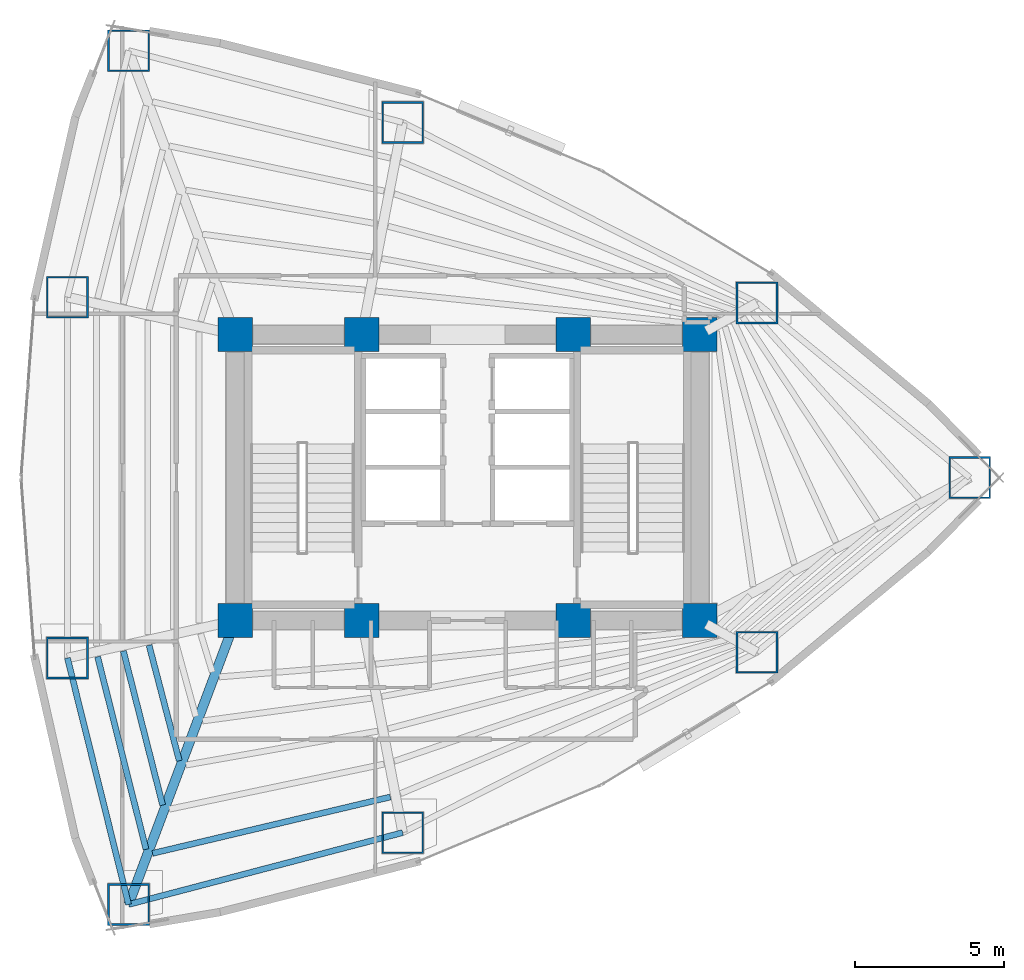
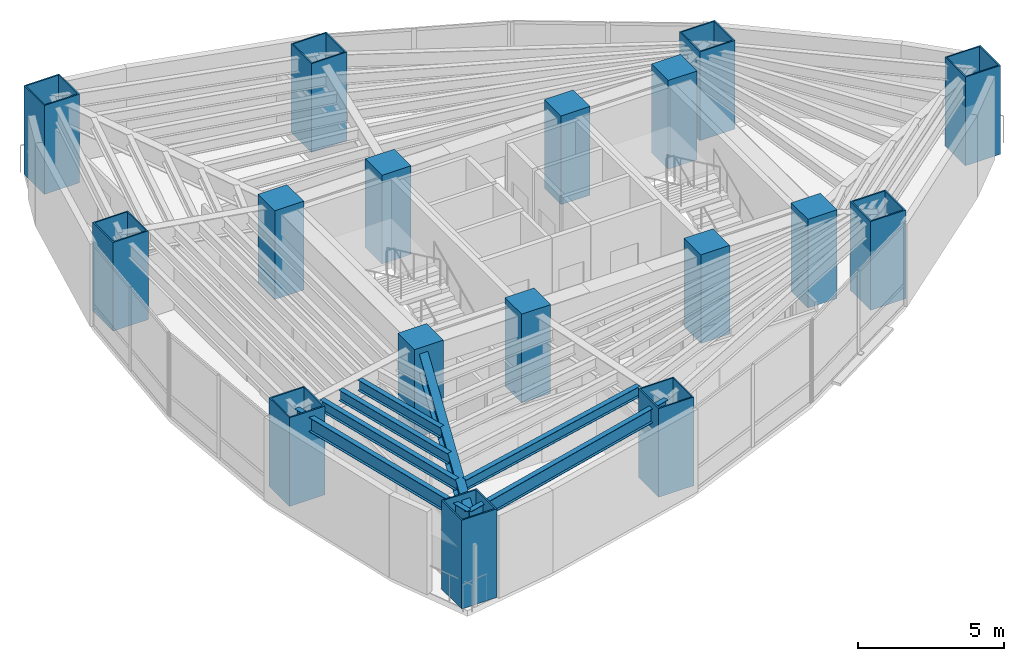
# One storey, part 1 of 17: 17 columns, 7 beams.
"""IFC4 building model written with IfcOpenShell, lengths in metres."""

import ifcopenshell
import ifcopenshell.guid

model = None  # the IFC model being written
_history = None  # IfcOwnerHistory: only IFC2X3 demands one
_inside = {}  # id of a spatial element -> (the spatial element, [elements in it])
_under = {}  # id of a project, library or spatial element -> (it, [spatial elements below it])
_declared = {}  # id of a project -> (the project, [libraries it declares])
_typed = {}  # id of a type object -> (the type object, [elements of that type])
_made_of = {}  # id of a material, layer set ... -> (it, [elements and type objects made of it])


def new_model(schema):
    """Start an empty IFC model of exactly this schema.

    Asked for "IFC4X3", IfcOpenShell would pick the latest addendum, in which some entities
    have other attributes; the version numbers below select the first issue.
    IFC2X3 requires an IfcOwnerHistory on every rooted entity: one is made here for all.
    """
    global model, _history
    if schema == "IFC4X3":
        model = ifcopenshell.file(schema_version=(4, 3, 0, 0))
    else:
        model = ifcopenshell.file(schema=schema)
    _inside.clear()
    _under.clear()
    _declared.clear()
    _typed.clear()
    _made_of.clear()
    _history = None
    if model.schema == "IFC2X3":
        org = make("IfcOrganization", Name="unknown")
        user = make(
            "IfcPersonAndOrganization",
            ThePerson=make("IfcPerson", FamilyName="unknown"),
            TheOrganization=org,
        )
        app = make(
            "IfcApplication",
            ApplicationDeveloper=org,
            Version="unknown",
            ApplicationFullName="unknown",
            ApplicationIdentifier="unknown",
        )
        _history = make(
            "IfcOwnerHistory",
            OwningUser=user,
            OwningApplication=app,
            ChangeAction="ADDED",
            CreationDate=0,
        )
    return model


def make(cls, **values):
    """One entity of the class cls with the attributes given. An attribute that is None is left unset."""
    return model.create_entity(
        cls, **{name: value for name, value in values.items() if value is not None}
    )


def rooted(cls, **values):
    """An entity with a GlobalId (a new one), such as an element, a storey or a relation."""
    return make(cls, GlobalId=ifcopenshell.guid.new(), OwnerHistory=_history, **values)


def si_unit(unit_type, name, prefix=None):
    """IfcSIUnit, for example si_unit("LENGTHUNIT", "METRE", prefix="MILLI")."""
    return make("IfcSIUnit", UnitType=unit_type, Prefix=prefix, Name=name)


def assignment(units):
    """IfcUnitAssignment: the units of a project."""
    return None if units is None else make("IfcUnitAssignment", Units=units)


def point(xyz):
    """IfcCartesianPoint."""
    return None if xyz is None else make("IfcCartesianPoint", Coordinates=xyz)


def direction(xyz):
    """IfcDirection."""
    return None if xyz is None else make("IfcDirection", DirectionRatios=xyz)


def frame(location, z_axis=None, x_axis=None):
    """IfcAxis2Placement3D, a coordinate frame: its origin and axes. An axis left out is left unset."""
    return make(
        "IfcAxis2Placement3D",
        Location=point(location),
        Axis=direction(z_axis),
        RefDirection=direction(x_axis),
    )


def frame_2d(location, x_axis=None):
    """IfcAxis2Placement2D, a coordinate frame in the plane: its origin and x axis."""
    return make(
        "IfcAxis2Placement2D", Location=point(location), RefDirection=direction(x_axis)
    )


def origin():
    """The frame at (0, 0, 0) with its axes left unset."""
    return frame((0.0, 0.0, 0.0))


def origin_2d():
    """The frame at (0, 0) in the plane with its x axis left unset."""
    return frame_2d((0.0, 0.0))


def place(relative_to, where):
    """IfcLocalPlacement: puts the frame where relative to a parent placement (None: the world)."""
    return make(
        "IfcLocalPlacement", PlacementRelTo=relative_to, RelativePlacement=where
    )


def context(
    kind, dimensions, precision=None, world=None, true_north=None, identifier=None
):
    """IfcGeometricRepresentationContext, for example the 3D "Model" context."""
    return make(
        "IfcGeometricRepresentationContext",
        ContextIdentifier=identifier,
        ContextType=kind,
        CoordinateSpaceDimension=dimensions,
        Precision=precision,
        WorldCoordinateSystem=world,
        TrueNorth=true_north,
    )


def subcontext(parent, identifier, kind, view, scale=None):
    """IfcGeometricRepresentationSubContext, for example "Body" below "Model"."""
    return make(
        "IfcGeometricRepresentationSubContext",
        ContextIdentifier=identifier,
        ContextType=kind,
        ParentContext=parent,
        TargetScale=scale,
        TargetView=view,
    )


def project(units=None, contexts=None):
    """IfcProject with its units and contexts."""
    return rooted(
        "IfcProject",
        Name="project",
        RepresentationContexts=contexts,
        UnitsInContext=assignment(units),
    )


def spatial(cls, under=None, at=None, **own):
    """A site, building, storey or space (cls), placed at a placement, below another one or the project."""
    s = rooted(cls, ObjectPlacement=at, **own)
    if under is not None:
        _under.setdefault(under.id(), (under, []))[1].append(s)
    return s


def profile(cls, at=None, kind="AREA", **sizes):
    """A parametric profile (cls). Its sizes go by their IFC names, for example OverallWidth=200.0."""
    return make(cls, ProfileType=kind, Position=at, **sizes)


def rectangle(**sizes):
    """IfcRectangleProfileDef."""
    return profile("IfcRectangleProfileDef", **sizes)


def hollow_rectangle(**sizes):
    """IfcRectangleHollowProfileDef."""
    return profile("IfcRectangleHollowProfileDef", **sizes)


def i_section(**sizes):
    """IfcIShapeProfileDef."""
    return profile("IfcIShapeProfileDef", **sizes)


def extrude(swept, where, along, depth):
    """IfcExtrudedAreaSolid: the profile swept, set in the frame where, extruded along a direction by depth."""
    return make(
        "IfcExtrudedAreaSolid",
        SweptArea=swept,
        Position=where,
        ExtrudedDirection=direction(along),
        Depth=depth,
    )


def shape(context_of_items, identifier, shape_type, items):
    """IfcShapeRepresentation: the items that make up one representation, for example the "Body"."""
    return make(
        "IfcShapeRepresentation",
        ContextOfItems=context_of_items,
        RepresentationIdentifier=identifier,
        RepresentationType=shape_type,
        Items=items,
    )


def material(Name=None, Category=None):
    """IfcMaterial."""
    return make("IfcMaterial", Name=Name, Category=Category)


def material_profile(
    of_material, cross_section, Name=None, Category=None, Priority=None
):
    """IfcMaterialProfile: a cross section and its material."""
    return make(
        "IfcMaterialProfile",
        Name=Name,
        Material=of_material,
        Profile=cross_section,
        Priority=Priority,
        Category=Category,
    )


def profile_set(profiles, Name=None, composite=None):
    """IfcMaterialProfileSet."""
    return make(
        "IfcMaterialProfileSet",
        Name=Name,
        MaterialProfiles=profiles,
        CompositeProfile=composite,
    )


def made_of(thing, what):
    """Note that an element or type object is made of a material, layer set ...; save() writes the relation."""
    if what is not None:
        _made_of.setdefault(what.id(), (what, []))[1].append(thing)
    return thing


def type_object(cls, material=None, **own):
    """A type object (cls), such as IfcWallType, which elements share."""
    return made_of(rooted(cls, **own), material)


def element(
    cls,
    number,
    at=None,
    inside=None,
    cuts=None,
    type_object=None,
    material=None,
    context=None,
    identifier="Body",
    shape_type=None,
    held_by="IfcProductDefinitionShape",
    body=None,
    shapes=None,
    **own,
):
    """One element of the class cls, such as IfcWall. Its Tag is "e" and its number.

    at: its placement. inside: the storey or other place that contains it. cuts: it is an
    opening in that element (IfcRelVoidsElement). A single representation is given by context,
    identifier, shape_type and body (its items); several are given by shapes. held_by: the class
    of the entity that holds the representations. save() writes the other relations.
    """
    e = rooted(cls, Tag="e%d" % number, ObjectPlacement=at, **own)
    if body is not None:
        shapes = [shape(context, identifier, shape_type, body)]
    if shapes is not None:
        e.Representation = make(held_by, Representations=shapes)
    if inside is not None:
        _inside.setdefault(inside.id(), (inside, []))[1].append(e)
    if cuts is not None:
        rooted(
            "IfcRelVoidsElement", RelatingBuildingElement=cuts, RelatedOpeningElement=e
        )
    if type_object is not None:
        _typed.setdefault(type_object.id(), (type_object, []))[1].append(e)
    return made_of(e, material)


def aggregate(whole, parts):
    """IfcRelAggregates: a whole, such as a stair, and the parts it consists of."""
    return rooted("IfcRelAggregates", RelatingObject=whole, RelatedObjects=parts)


def save(model, path):
    """Write the relations noted so far, then the file.

    IfcRelAggregates (storeys below a building ...), IfcRelContainedInSpatialStructure (elements
    in a storey), IfcRelDefinesByType, IfcRelAssociatesMaterial and IfcRelDeclares: one each for
    every whole, place, type object, material and project.
    """
    for whole, parts in _under.values():
        aggregate(whole, parts)
    for where, things in _inside.values():
        rooted(
            "IfcRelContainedInSpatialStructure",
            RelatedElements=things,
            RelatingStructure=where,
        )
    for kind, things in _typed.values():
        rooted("IfcRelDefinesByType", RelatedObjects=things, RelatingType=kind)
    for what, things in _made_of.values():
        rooted("IfcRelAssociatesMaterial", RelatedObjects=things, RelatingMaterial=what)
    for by, libraries in _declared.values():
        rooted("IfcRelDeclares", RelatingContext=by, RelatedDefinitions=libraries)
    model.write(path)


model = new_model("IFC4")

# Units and contexts
model_context = context("Model", 3, precision=1e-05, world=origin(), true_north=direction((0.0, 1.0)))
body_context = subcontext(model_context, "Body", "Model", "MODEL_VIEW")
ifc_project = project(units=[si_unit("LENGTHUNIT", "METRE"), si_unit("AREAUNIT", "SQUARE_METRE"), si_unit("VOLUMEUNIT", "CUBIC_METRE"), si_unit("PLANEANGLEUNIT", "RADIAN"), si_unit("MASSUNIT", "GRAM", prefix="KILO")], contexts=[model_context])

# Site, building, storey
site_placement = place(None, origin())
site = spatial("IfcSite", under=ifc_project, at=site_placement, CompositionType="ELEMENT")
building_placement = place(site_placement, origin())
building = spatial("IfcBuilding", under=site, at=building_placement, Name="Menara Vayukalpa", CompositionType="ELEMENT")
storey_placement = place(building_placement, frame((0.0, 0.0, 42.47998046875)))
storey = spatial("IfcBuildingStorey", under=building, at=storey_placement, Name="L09", CompositionType="ELEMENT", Elevation=42.47998046875)

# Columns
ifc_material_1 = material(Name="Concrete C80/95", Category="concrete")
ifc_material_profile_1 = material_profile(ifc_material_1, rectangle(XDim=1.14990234375, YDim=1.14990234375, at=origin_2d()), Name="RC 1150x1150")
ifc_profile_set_1 = profile_set([ifc_material_profile_1], Name="Concrete C80/95")
column_type_1 = type_object("IfcColumnType", Name="COL-CC1", PredefinedType="COLUMN", material=ifc_profile_set_1)
for number, where, z_axis, x_axis, name in (
    (1, (17.800048828125, 17.199951171875, 0.0), (0.0, 0.0, 1.0), (1.0, 0.0, 0.0), "L09 Core Pilaster Column CC1"),
    (2, (22.050048828125, 17.199951171875, 0.0), (0.0, 0.0, 1.0), (1.0, 0.0, 0.0), "L09 Core Pilaster Column CC2"),
    (3, (29.14990234375, 17.199951171875, 0.0), (0.0, 0.0, 1.0), (1.0, 0.0, 0.0), "L09 Core Pilaster Column CC3"),
    (4, (33.39990234375, 17.199951171875, 0.0), (0.0, 0.0, 1.0), (1.0, 0.0, 0.0), "L09 Core Pilaster Column CC4"),
    (5, (17.800048828125, 26.800048828125, 0.0), (0.0, 0.0, 1.0), (1.0, 0.0, 0.0), "L09 Core Pilaster Column CC5"),
    (6, (22.050048828125, 26.800048828125, 0.0), (0.0, 0.0, 1.0), (1.0, 0.0, 0.0), "L09 Core Pilaster Column CC6"),
    (7, (29.14990234375, 26.800048828125, 0.0), (0.0, 0.0, 1.0), (1.0, 0.0, 0.0), "L09 Core Pilaster Column CC7"),
    (8, (33.39990234375, 26.800048828125, 0.0), (0.0, 0.0, 1.0), (1.0, 0.0, 0.0), "L09 Core Pilaster Column CC8"),
):
    element("IfcColumn", number, at=place(storey_placement, frame(where, z_axis=z_axis, x_axis=x_axis)), inside=storey, type_object=column_type_1, Name=name, PredefinedType="COLUMN", context=body_context, shape_type="SweptSolid", body=[
        extrude(rectangle(XDim=1.14990234375, YDim=1.14990234375, at=origin_2d()), origin(), (0.0, 0.0, 1.0), 3.719970703125),
    ])
ifc_material_2 = material(Name="Steel S460", Category="steel")
ifc_material_profile_2 = material_profile(ifc_material_2, hollow_rectangle(XDim=1.39990234375, YDim=1.39990234375, WallThickness=0.054931640625, at=origin_2d()), Name="BOX 1400x1400x55")
ifc_profile_set_2 = profile_set([ifc_material_profile_2], Name="Steel S460")
column_type_2 = type_object("IfcColumnType", Name="COL-MC1", PredefinedType="COLUMN", material=ifc_profile_set_2)
for number, where, z_axis, x_axis, name in (
    (9, (42.46484375, 22.0, 0.0), (0.0, 0.0, 1.0), (1.0, 0.0, 0.0), "L09 Perimeter Mega Column P01"),
    (10, (35.318115234375, 27.86328125, 0.0), (0.0, 0.0, 1.0), (1.0, 0.0, 0.0), "L09 Perimeter Mega Column P02"),
    (11, (23.41943359375, 33.9228515625, 0.0), (0.0, 0.0, 1.0), (1.0, 0.0, 0.0), "L09 Perimeter Mega Column P03"),
    (12, (14.217529296875, 36.33447265625, 0.0), (0.0, 0.0, 1.0), (1.0, 0.0, 0.0), "L09 Perimeter Mega Column P04"),
    (13, (12.164306640625, 28.0595703125, 0.0), (0.0, 0.0, 1.0), (1.0, 0.0, 0.0), "L09 Perimeter Mega Column P05"),
    (14, (12.164306640625, 15.9404296875, 0.0), (0.0, 0.0, 1.0), (1.0, 0.0, 0.0), "L09 Perimeter Mega Column P06"),
    (15, (14.217529296875, 7.66552734375, 0.0), (0.0, 0.0, 1.0), (1.0, 0.0, 0.0), "L09 Perimeter Mega Column P07"),
    (16, (23.41943359375, 10.0771484375, 0.0), (0.0, 0.0, 1.0), (1.0, 0.0, 0.0), "L09 Perimeter Mega Column P08"),
    (17, (35.318115234375, 16.13671875, 0.0), (0.0, 0.0, 1.0), (1.0, 0.0, 0.0), "L09 Perimeter Mega Column P09"),
):
    element("IfcColumn", number, at=place(storey_placement, frame(where, z_axis=z_axis, x_axis=x_axis)), inside=storey, type_object=column_type_2, Name=name, PredefinedType="COLUMN", context=body_context, shape_type="SweptSolid", body=[
        extrude(hollow_rectangle(XDim=1.39990234375, YDim=1.39990234375, WallThickness=0.054931640625, at=origin_2d()), origin(), (0.0, 0.0, 1.0), 3.719970703125),
    ])

# Beams
ifc_material_3 = material(Name="Steel S355", Category="steel")
ifc_material_profile_3 = material_profile(ifc_material_3, i_section(OverallWidth=0.320068359375, OverallDepth=0.85009765625, WebThickness=0.01611328125, FlangeThickness=0.030029296875, at=origin_2d()), Name="WF 850x320x16x30")
ifc_profile_set_3 = profile_set([ifc_material_profile_3], Name="Steel S355")
beam_type_1 = type_object("IfcBeamType", Name="BM-PG2", PredefinedType="BEAM", material=ifc_profile_set_3)
beam_1_placement = place(storey_placement, frame((17.712158203125, 16.966064453125, 3.044921875), z_axis=(-0.351734656537, -0.93609974436, 0.0), x_axis=(0.93609974436, -0.351734656537, 0.0)))
element("IfcBeam", 18, at=beam_1_placement, inside=storey, type_object=beam_type_1, Name="L09 Primary Radial Girder RG07", PredefinedType="BEAM", context=body_context, shape_type="SweptSolid", body=[
    extrude(i_section(OverallWidth=0.320068359375, OverallDepth=0.85009765625, WebThickness=0.01611328125, FlangeThickness=0.030029296875, at=origin_2d()), origin(), (0.0, 0.0, 1.0), 9.935302734375),
])
ifc_material_4 = material(Name="Steel S355", Category="steel")
ifc_material_profile_4 = material_profile(ifc_material_4, i_section(OverallWidth=0.199951171875, OverallDepth=0.449951171875, WebThickness=0.009033203125, FlangeThickness=0.013916015625, at=origin_2d()), Name="WF 450x200x9x14")
ifc_profile_set_4 = profile_set([ifc_material_profile_4], Name="Steel S355")
beam_type_2 = type_object("IfcBeamType", Name="BM-SJ1", PredefinedType="JOIST", material=ifc_profile_set_4)
beam_2_placement = place(storey_placement, frame((14.905517578125, 16.368896484375, 3.2451171875), z_axis=(0.25283833468, -0.967508540798, 0.0), x_axis=(0.967508540798, 0.25283833468, 0.0)))
element("IfcBeam", 19, at=beam_2_placement, inside=storey, type_object=beam_type_2, Name="L09 Secondary Floor Joist SJ06-3", PredefinedType="JOIST", context=body_context, shape_type="SweptSolid", body=[
    extrude(i_section(OverallWidth=0.199951171875, OverallDepth=0.449951171875, WebThickness=0.009033203125, FlangeThickness=0.013916015625, at=origin_2d()), origin(), (0.0, 0.0, 1.0), 4.00927734375),
])
beam_3_placement = place(storey_placement, frame((14.0419921875, 16.17578125, 3.2451171875), z_axis=(0.247105572938, -0.968988563309, 0.0), x_axis=(0.968988563309, 0.247105572938, 0.0)))
element("IfcBeam", 20, at=beam_3_placement, inside=storey, type_object=beam_type_2, Name="L09 Secondary Floor Joist SJ06-4", PredefinedType="JOIST", context=body_context, shape_type="SweptSolid", body=[
    extrude(i_section(OverallWidth=0.199951171875, OverallDepth=0.449951171875, WebThickness=0.009033203125, FlangeThickness=0.013916015625, at=origin_2d()), origin(), (0.0, 0.0, 1.0), 5.339111328125),
])
beam_4_placement = place(storey_placement, frame((13.1787109375, 15.982666015625, 3.2451171875), z_axis=(0.243517460774, -0.96989651319, 0.0), x_axis=(0.96989651319, 0.243517460774, 0.0)))
element("IfcBeam", 21, at=beam_4_placement, inside=storey, type_object=beam_type_2, Name="L09 Secondary Floor Joist SJ06-5", PredefinedType="JOIST", context=body_context, shape_type="SweptSolid", body=[
    extrude(i_section(OverallWidth=0.199951171875, OverallDepth=0.449951171875, WebThickness=0.009033203125, FlangeThickness=0.013916015625, at=origin_2d()), origin(), (0.0, 0.0, 1.0), 6.6689453125),
])
beam_5_placement = place(storey_placement, frame((15.021728515625, 9.381103515625, 3.2451171875), z_axis=(0.97303971213, 0.23063763487, 0.0), x_axis=(-0.23063763487, 0.97303971213, 0.0)))
element("IfcBeam", 22, at=beam_5_placement, inside=storey, type_object=beam_type_2, Name="L09 Secondary Floor Joist SJ07-5", PredefinedType="JOIST", context=body_context, shape_type="SweptSolid", body=[
    extrude(i_section(OverallWidth=0.199951171875, OverallDepth=0.449951171875, WebThickness=0.009033203125, FlangeThickness=0.013916015625, at=origin_2d()), origin(), (0.0, 0.0, 1.0), 8.205810546875),
])
ifc_material_5 = material(Name="Steel S355", Category="steel")
ifc_material_profile_5 = material_profile(ifc_material_5, i_section(OverallWidth=0.199951171875, OverallDepth=0.60009765625, WebThickness=0.010986328125, FlangeThickness=0.01708984375, at=origin_2d()), Name="WF 600x200x11x17")
ifc_profile_set_5 = profile_set([ifc_material_profile_5], Name="Steel S355")
beam_type_3 = type_object("IfcBeamType", Name="BM-SP1", PredefinedType="SPANDREL", material=ifc_profile_set_5)
beam_6_placement = place(storey_placement, frame((12.164306640625, 15.9404296875, 3.169921875), z_axis=(0.240823860364, -0.970568837476, 0.0), x_axis=(0.970568837476, 0.240823860364, 0.0)))
element("IfcBeam", 23, at=beam_6_placement, inside=storey, type_object=beam_type_3, Name="L09 Perimeter Spandrel Beam SP06", PredefinedType="SPANDREL", context=body_context, shape_type="SweptSolid", body=[
    extrude(i_section(OverallWidth=0.199951171875, OverallDepth=0.60009765625, WebThickness=0.010986328125, FlangeThickness=0.01708984375, at=origin_2d()), origin(), (0.0, 0.0, 1.0), 8.52587890625),
])
beam_7_placement = place(storey_placement, frame((14.217529296875, 7.66552734375, 3.169921875), z_axis=(0.967331024421, 0.253516644802, 0.0), x_axis=(-0.253516644802, 0.967331024421, 0.0)))
element("IfcBeam", 24, at=beam_7_placement, inside=storey, type_object=beam_type_3, Name="L09 Perimeter Spandrel Beam SP07", PredefinedType="SPANDREL", context=body_context, shape_type="SweptSolid", body=[
    extrude(i_section(OverallWidth=0.199951171875, OverallDepth=0.60009765625, WebThickness=0.010986328125, FlangeThickness=0.01708984375, at=origin_2d()), origin(), (0.0, 0.0, 1.0), 9.5126953125),
])

save(model, "model.ifc")
